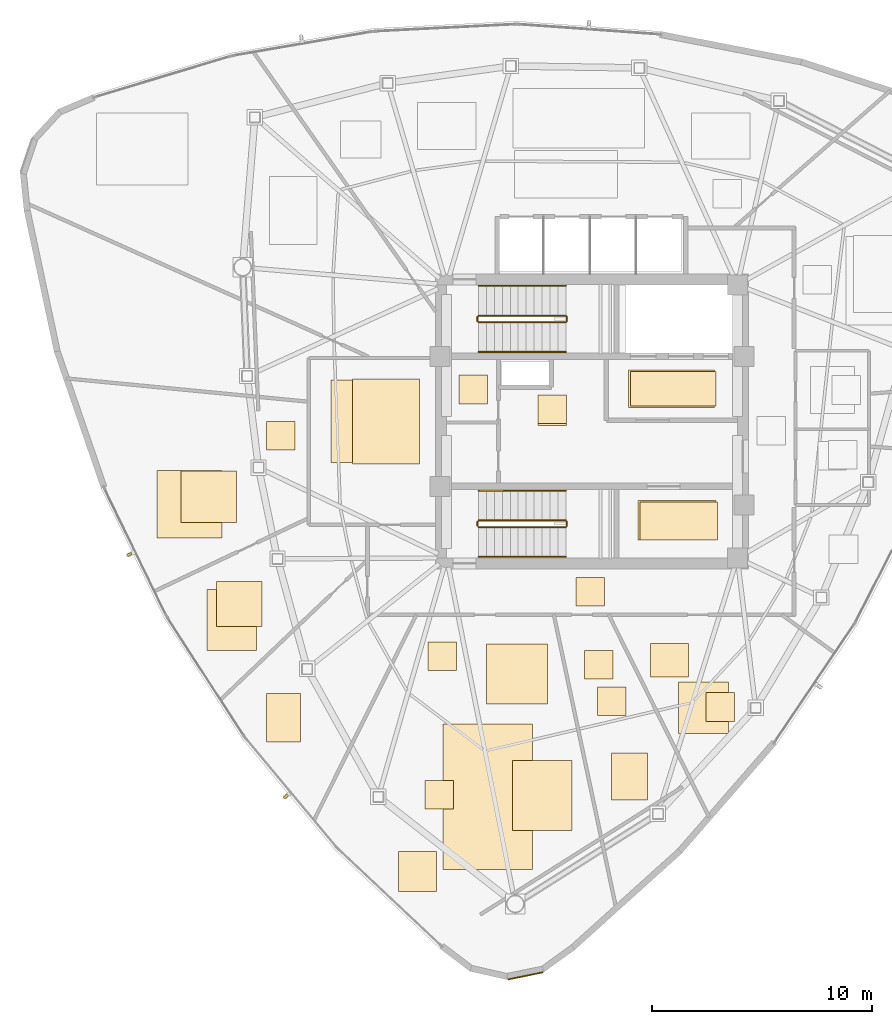
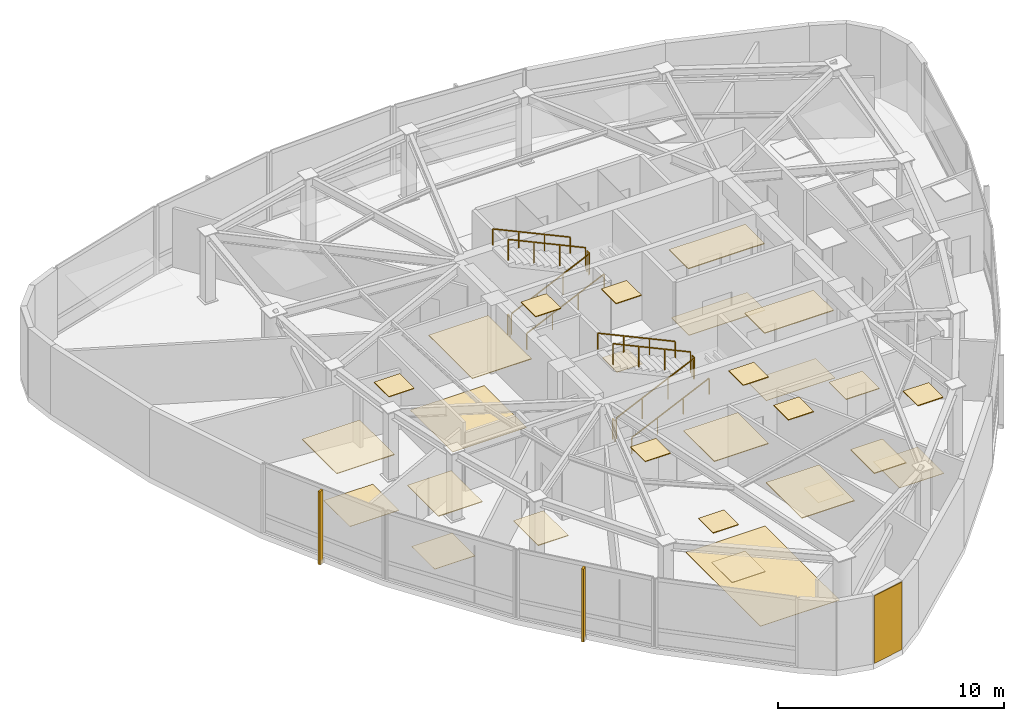
# One storey, part 11 of 12: 29 coverings, 12 railings, 2 shading devices.
"""IFC4 building model written with IfcOpenShell, lengths in metres."""

from ifc_helpers import new_model, si_unit, direction, frame, origin, origin_2d, place, context, subcontext, project, spatial, polyline, rectangle, outline, extrude, source, transform, mapped, material, layer, layer_set, type_object, type_shapes, element, save


model = new_model("IFC4")

# Units and contexts
model_context = context("Model", 3, precision=1e-05, world=origin(), true_north=direction((0.0, 1.0)))
body_context = subcontext(model_context, "Body", "Model", "MODEL_VIEW")
ifc_project = project(units=[si_unit("LENGTHUNIT", "METRE"), si_unit("AREAUNIT", "SQUARE_METRE"), si_unit("VOLUMEUNIT", "CUBIC_METRE"), si_unit("PLANEANGLEUNIT", "RADIAN"), si_unit("MASSUNIT", "GRAM", prefix="KILO")], contexts=[model_context])

# Site, building, storey
site_placement = place(None, origin())
site = spatial("IfcSite", under=ifc_project, at=site_placement, CompositionType="ELEMENT")
building_placement = place(site_placement, origin())
building = spatial("IfcBuilding", under=site, at=building_placement, Name="Tavelor Broadcast Tower", CompositionType="ELEMENT")
storey_placement = place(building_placement, frame((0.0, 0.0, 293.5)))
storey = spatial("IfcBuildingStorey", under=building, at=storey_placement, Name="L70", CompositionType="ELEMENT", Elevation=293.5)

# Coverings
ifc_material_1 = material(Name="Copper-Bronze Anodized Aluminium", Category="aluminium")
ifc_layer_1 = layer(ifc_material_1, 0.044921875)
ifc_layer_set_1 = layer_set([ifc_layer_1], Name="Copper-Bronze Anodized Aluminium")
covering_type_1 = type_object("IfcCoveringType", Name="Anodised Bronze Linear Slatted Concourse Ceiling 45 mm", PredefinedType="CEILING", material=ifc_layer_set_1)
covering_1_placement = place(storey_placement, frame((0.0, 0.0, 3.655029296875)))
element("IfcCovering", 1, at=covering_1_placement, inside=storey, type_object=covering_type_1, Name="L70 Suspended Acoustic Ceiling 2668", PredefinedType="CEILING", context=body_context, shape_type="SweptSolid", body=[
    extrude(outline(polyline([(51.659912109375, 45.6318359375), (55.55712890625, 45.6318359375), (55.55712890625, 47.328125), (51.659912109375, 47.328125), (51.659912109375, 45.6318359375)])), origin(), (0.0, 0.0, 1.0), 0.044921875),
])
covering_2_placement = place(storey_placement, frame((0.0, 0.0, 3.655029296875)))
element("IfcCovering", 2, at=covering_2_placement, inside=storey, type_object=covering_type_1, Name="L70 Suspended Acoustic Ceiling 2670", PredefinedType="CEILING", context=body_context, shape_type="SweptSolid", body=[
    extrude(outline(polyline([(47.5400390625, 44.89794921875), (48.840087890625, 44.89794921875), (48.840087890625, 46.197998046875), (47.5400390625, 46.197998046875), (47.5400390625, 44.89794921875)])), origin(), (0.0, 0.0, 1.0), 0.044921875),
])
ifc_layer_2 = layer(ifc_material_1, 0.050048828125)
ifc_layer_set_2 = layer_set([ifc_layer_2], Name="Copper-Bronze Anodized Aluminium")
covering_type_2 = type_object("IfcCoveringType", Name="Champagne-Bronze Corner Pier Metal Cladding 50 mm", PredefinedType="CLADDING", material=ifc_layer_set_2)
covering_3_placement = place(storey_placement, frame((46.977294921875, 19.820068359375, 0.02001953125), z_axis=(0.0, 0.0, 1.0), x_axis=(0.979750350171, 0.200223004021, 0.0)))
element("IfcCovering", 3, at=covering_3_placement, inside=storey, type_object=covering_type_2, Name="L70 Champagne-Bronze Corner Cladding 13", PredefinedType="CLADDING", context=body_context, shape_type="SweptSolid", body=[
    extrude(rectangle(XDim=1.620361328125, YDim=0.050048828125, at=origin_2d()), origin(), (0.0, 0.0, 1.0), 3.659912109375),
])

# Railings
ifc_material_2 = material(Name="Steel S355", Category="steel")
railing_type_1 = type_object("IfcRailingType", Name="Continuous Brushed Stainless Handrail 900 mm", PredefinedType="HANDRAIL", material=ifc_material_2)
railing_1_placement = place(storey_placement, frame((44.85009765625, 48.14990234375, 0.166748046875)))
element("IfcRailing", 4, at=railing_1_placement, inside=storey, type_object=railing_type_1, Name="L70 ST1 stair handrail 1", PredefinedType="HANDRAIL", context=body_context, shape_type="SweptSolid", body=[
    extrude(rectangle(XDim=0.048095703125, YDim=0.048095703125, at=origin_2d()), frame((0.0, 0.0, 0.8759765625), z_axis=(0.907472437036, 0.0, 0.420111623286), x_axis=(0.0, 1.0, 0.0)), (0.0, 0.0, 1.0), 4.36376953125),
    extrude(rectangle(XDim=0.0419921875, YDim=0.0419921875, at=origin_2d()), origin(), (0.0, 0.0, 1.0), 0.851806640625),
    extrude(rectangle(XDim=0.0419921875, YDim=0.0419921875, at=origin_2d()), frame((1.320068359375, 0.0, 0.611083984375)), (0.0, 0.0, 1.0), 0.851806640625),
    extrude(rectangle(XDim=0.0419921875, YDim=0.0419921875, at=origin_2d()), frame((2.639892578125, 0.0, 1.22216796875)), (0.0, 0.0, 1.0), 0.851806640625),
    extrude(rectangle(XDim=0.0419921875, YDim=0.0419921875, at=origin_2d()), frame((3.9599609375, 0.0, 1.833251953125)), (0.0, 0.0, 1.0), 0.851806640625),
])
railing_2_placement = place(storey_placement, frame((48.81005859375, 51.14990234375, 2.166748046875)))
element("IfcRailing", 5, at=railing_2_placement, inside=storey, type_object=railing_type_1, Name="L70 ST1 stair handrail 2", PredefinedType="HANDRAIL", context=body_context, shape_type="SweptSolid", body=[
    extrude(rectangle(XDim=0.048095703125, YDim=0.048095703125, at=origin_2d()), frame((0.0, 0.0, 0.8759765625), z_axis=(-0.907472437036, 0.0, 0.420111623286), x_axis=(0.0, -1.0, 0.0)), (0.0, 0.0, 1.0), 4.36376953125),
    extrude(rectangle(XDim=0.0419921875, YDim=0.0419921875, at=origin_2d()), origin(), (0.0, 0.0, 1.0), 0.851806640625),
    extrude(rectangle(XDim=0.0419921875, YDim=0.0419921875, at=origin_2d()), frame((-1.320068359375, 0.0, 0.611083984375)), (0.0, 0.0, 1.0), 0.851806640625),
    extrude(rectangle(XDim=0.0419921875, YDim=0.0419921875, at=origin_2d()), frame((-2.639892578125, 0.0, 1.22216796875)), (0.0, 0.0, 1.0), 0.851806640625),
    extrude(rectangle(XDim=0.0419921875, YDim=0.0419921875, at=origin_2d()), frame((-3.9599609375, 0.0, 1.833251953125)), (0.0, 0.0, 1.0), 0.851806640625),
])
railing_3_placement = place(storey_placement, frame((44.85009765625, 38.85009765625, 0.166748046875)))
element("IfcRailing", 6, at=railing_3_placement, inside=storey, type_object=railing_type_1, Name="L70 ST2 stair handrail 1", PredefinedType="HANDRAIL", context=body_context, shape_type="SweptSolid", body=[
    extrude(rectangle(XDim=0.048095703125, YDim=0.048095703125, at=origin_2d()), frame((0.0, 0.0, 0.8759765625), z_axis=(0.907472437036, 0.0, 0.420111623286), x_axis=(0.0, 1.0, 0.0)), (0.0, 0.0, 1.0), 4.36376953125),
    extrude(rectangle(XDim=0.0419921875, YDim=0.0419921875, at=origin_2d()), origin(), (0.0, 0.0, 1.0), 0.851806640625),
    extrude(rectangle(XDim=0.0419921875, YDim=0.0419921875, at=origin_2d()), frame((1.320068359375, 0.0, 0.611083984375)), (0.0, 0.0, 1.0), 0.851806640625),
    extrude(rectangle(XDim=0.0419921875, YDim=0.0419921875, at=origin_2d()), frame((2.639892578125, 0.0, 1.22216796875)), (0.0, 0.0, 1.0), 0.851806640625),
    extrude(rectangle(XDim=0.0419921875, YDim=0.0419921875, at=origin_2d()), frame((3.9599609375, 0.0, 1.833251953125)), (0.0, 0.0, 1.0), 0.851806640625),
])
railing_4_placement = place(storey_placement, frame((48.81005859375, 41.85009765625, 2.166748046875)))
element("IfcRailing", 7, at=railing_4_placement, inside=storey, type_object=railing_type_1, Name="L70 ST2 stair handrail 2", PredefinedType="HANDRAIL", context=body_context, shape_type="SweptSolid", body=[
    extrude(rectangle(XDim=0.048095703125, YDim=0.048095703125, at=origin_2d()), frame((0.0, 0.0, 0.8759765625), z_axis=(-0.907472437036, 0.0, 0.420111623286), x_axis=(0.0, -1.0, 0.0)), (0.0, 0.0, 1.0), 4.36376953125),
    extrude(rectangle(XDim=0.0419921875, YDim=0.0419921875, at=origin_2d()), origin(), (0.0, 0.0, 1.0), 0.851806640625),
    extrude(rectangle(XDim=0.0419921875, YDim=0.0419921875, at=origin_2d()), frame((-1.320068359375, 0.0, 0.611083984375)), (0.0, 0.0, 1.0), 0.851806640625),
    extrude(rectangle(XDim=0.0419921875, YDim=0.0419921875, at=origin_2d()), frame((-2.639892578125, 0.0, 1.22216796875)), (0.0, 0.0, 1.0), 0.851806640625),
    extrude(rectangle(XDim=0.0419921875, YDim=0.0419921875, at=origin_2d()), frame((-3.9599609375, 0.0, 1.833251953125)), (0.0, 0.0, 1.0), 0.851806640625),
])

# Coverings
ifc_material_3 = material(Name="Architectural Anodized Aluminium", Category="aluminium")
ifc_layer_3 = layer(ifc_material_3, 0.034912109375)
ifc_layer_set_3 = layer_set([ifc_layer_3], Name="Architectural Anodized Aluminium")
covering_type_3 = type_object("IfcCoveringType", Name="Demountable Metal Tile Corridor Ceiling 35 mm", PredefinedType="CEILING", material=ifc_layer_set_3)
covering_4_placement = place(storey_placement, frame((0.0, 0.0, 3.6650390625)))
element("IfcCovering", 8, at=covering_4_placement, inside=storey, type_object=covering_type_3, Name="L70 Suspended Acoustic Ceiling 2673", PredefinedType="CEILING", context=body_context, shape_type="SweptSolid", body=[
    extrude(outline(polyline([(49.261474609375, 36.610107421875), (50.5615234375, 36.610107421875), (50.5615234375, 37.909912109375), (49.261474609375, 37.909912109375), (49.261474609375, 36.610107421875)])), origin(), (0.0, 0.0, 1.0), 0.034912109375),
])
ifc_material_4 = material(Name="Acoustic Nylon Carpet Tile")
ifc_layer_4 = layer(ifc_material_4, 0.02001953125)
ifc_layer_set_4 = layer_set([ifc_layer_4], Name="Acoustic Nylon Carpet Tile")
covering_type_4 = type_object("IfcCoveringType", Name="Heavy-Duty Acoustic Broadcast Carpet Tile 20 mm", PredefinedType="FLOORING", material=ifc_layer_set_4)
covering_5_placement = place(storey_placement, origin())
element("IfcCovering", 9, at=covering_5_placement, inside=storey, type_object=covering_type_4, Name="L70 Broadcast Floor Finish 1040", PredefinedType="FLOORING", context=body_context, shape_type="SweptSolid", body=[
    extrude(outline(polyline([(52.176025390625, 39.611328125), (55.694091796875, 39.611328125), (55.694091796875, 41.341552734375), (52.176025390625, 41.341552734375), (52.176025390625, 39.611328125)])), origin(), (0.0, 0.0, 1.0), 0.02001953125),
])
covering_6_placement = place(storey_placement, origin())
element("IfcCovering", 10, at=covering_6_placement, inside=storey, type_object=covering_type_4, Name="L70 Broadcast Floor Finish 1043", PredefinedType="FLOORING", context=body_context, shape_type="SweptSolid", body=[
    extrude(outline(polyline([(38.15771484375, 43.12890625), (41.942138671875, 43.12890625), (41.942138671875, 46.87060546875), (38.15771484375, 46.87060546875), (38.15771484375, 43.12890625)])), origin(), (0.0, 0.0, 1.0), 0.02001953125),
])
covering_7_placement = place(storey_placement, origin())
element("IfcCovering", 11, at=covering_7_placement, inside=storey, type_object=covering_type_4, Name="L70 Broadcast Floor Finish 1047", PredefinedType="FLOORING", context=body_context, shape_type="SweptSolid", body=[
    extrude(outline(polyline([(53.919677734375, 30.82177734375), (56.1884765625, 30.82177734375), (56.1884765625, 33.162353515625), (53.919677734375, 33.162353515625), (53.919677734375, 30.82177734375)])), origin(), (0.0, 0.0, 1.0), 0.02001953125),
])
covering_8_placement = place(storey_placement, origin())
element("IfcCovering", 12, at=covering_8_placement, inside=storey, type_object=covering_type_4, Name="L70 Broadcast Floor Finish 1048", PredefinedType="FLOORING", context=body_context, shape_type="SweptSolid", body=[
    extrude(outline(polyline([(50.239013671875, 31.638916015625), (51.538818359375, 31.638916015625), (51.538818359375, 32.93896484375), (50.239013671875, 32.93896484375), (50.239013671875, 31.638916015625)])), origin(), (0.0, 0.0, 1.0), 0.02001953125),
])
covering_9_placement = place(storey_placement, origin())
element("IfcCovering", 13, at=covering_9_placement, inside=storey, type_object=covering_type_4, Name="L70 Broadcast Floor Finish 1049", PredefinedType="FLOORING", context=body_context, shape_type="SweptSolid", body=[
    extrude(outline(polyline([(43.2373046875, 24.65234375), (47.28857421875, 24.65234375), (47.28857421875, 31.2548828125), (43.2373046875, 31.2548828125), (43.2373046875, 24.65234375)])), origin(), (0.0, 0.0, 1.0), 0.02001953125),
])
covering_10_placement = place(storey_placement, origin())
element("IfcCovering", 14, at=covering_10_placement, inside=storey, type_object=covering_type_4, Name="L70 Broadcast Floor Finish 1050", PredefinedType="FLOORING", context=body_context, shape_type="SweptSolid", body=[
    extrude(outline(polyline([(32.94384765625, 35.68408203125), (35.017822265625, 35.68408203125), (35.017822265625, 37.724365234375), (32.94384765625, 37.724365234375), (32.94384765625, 35.68408203125)])), origin(), (0.0, 0.0, 1.0), 0.02001953125),
])
covering_11_placement = place(storey_placement, origin())
element("IfcCovering", 15, at=covering_11_placement, inside=storey, type_object=covering_type_4, Name="L70 Broadcast Floor Finish 1051", PredefinedType="FLOORING", context=body_context, shape_type="SweptSolid", body=[
    extrude(outline(polyline([(31.3408203125, 40.414306640625), (33.850341796875, 40.414306640625), (33.850341796875, 42.74560546875), (31.3408203125, 42.74560546875), (31.3408203125, 40.414306640625)])), origin(), (0.0, 0.0, 1.0), 0.02001953125),
])
ifc_material_5 = material(Name="Honed Natural Limestone Tile", Category="masonry")
ifc_layer_5 = layer(ifc_material_5, 0.030029296875)
ifc_layer_set_5 = layer_set([ifc_layer_5], Name="Honed Natural Limestone Tile")
covering_type_5 = type_object("IfcCoveringType", Name="Honed Jerusalem Limestone Concourse Flooring 30 mm", PredefinedType="FLOORING", material=ifc_layer_set_5)
covering_12_placement = place(storey_placement, origin())
element("IfcCovering", 16, at=covering_12_placement, inside=storey, type_object=covering_type_5, Name="L70 Broadcast Floor Finish 1039", PredefinedType="FLOORING", context=body_context, shape_type="SweptSolid", body=[
    extrude(outline(polyline([(51.7373046875, 45.689453125), (55.62255859375, 45.689453125), (55.62255859375, 47.2705078125), (51.7373046875, 47.2705078125), (51.7373046875, 45.689453125)])), origin(), (0.0, 0.0, 1.0), 0.030029296875),
])
covering_13_placement = place(storey_placement, origin())
element("IfcCovering", 17, at=covering_13_placement, inside=storey, type_object=covering_type_5, Name="L70 Broadcast Floor Finish 1041", PredefinedType="FLOORING", context=body_context, shape_type="SweptSolid", body=[
    extrude(outline(polyline([(47.5400390625, 44.818115234375), (48.840087890625, 44.818115234375), (48.840087890625, 46.117919921875), (47.5400390625, 46.117919921875), (47.5400390625, 44.818115234375)])), origin(), (0.0, 0.0, 1.0), 0.030029296875),
])

# Railings
railing_type_2 = type_object("IfcRailingType", Name="Stairwell Steel Safety Guardrail 1150 mm", PredefinedType="GUARDRAIL", material=ifc_material_2)
railing_5_placement = place(storey_placement, frame((44.85009765625, 49.5, 0.166748046875)))
element("IfcRailing", 18, at=railing_5_placement, inside=storey, type_object=railing_type_2, Name="L70 ST1 stair guard 1", PredefinedType="GUARDRAIL", context=body_context, shape_type="SweptSolid", body=[
    extrude(rectangle(XDim=0.048095703125, YDim=0.048095703125, at=origin_2d()), frame((0.0, 0.0, 1.1259765625), z_axis=(0.907472437036, 0.0, 0.420111623286), x_axis=(0.0, 1.0, 0.0)), (0.0, 0.0, 1.0), 4.36376953125),
    extrude(rectangle(XDim=0.0419921875, YDim=0.0419921875, at=origin_2d()), origin(), (0.0, 0.0, 1.0), 1.101806640625),
    extrude(rectangle(XDim=0.0419921875, YDim=0.0419921875, at=origin_2d()), frame((1.320068359375, 0.0, 0.611083984375)), (0.0, 0.0, 1.0), 1.101806640625),
    extrude(rectangle(XDim=0.0419921875, YDim=0.0419921875, at=origin_2d()), frame((2.639892578125, 0.0, 1.22216796875)), (0.0, 0.0, 1.0), 1.101806640625),
    extrude(rectangle(XDim=0.0419921875, YDim=0.0419921875, at=origin_2d()), frame((3.9599609375, 0.0, 1.833251953125)), (0.0, 0.0, 1.0), 1.101806640625),
])
railing_6_placement = place(storey_placement, frame((48.860107421875, 49.550048828125, 2.0)))
element("IfcRailing", 19, at=railing_6_placement, inside=storey, type_object=railing_type_2, Name="L70 ST1 stair guard 2", PredefinedType="GUARDRAIL", context=body_context, shape_type="SweptSolid", body=[
    extrude(rectangle(XDim=0.048095703125, YDim=0.048095703125, at=origin_2d()), frame((0.0, 0.0, 1.1259765625), z_axis=(0.0, 1.0, 0.0), x_axis=(-1.0, 0.0, 0.0)), (0.0, 0.0, 1.0), 0.199951171875),
    extrude(rectangle(XDim=0.0419921875, YDim=0.0419921875, at=origin_2d()), origin(), (0.0, 0.0, 1.0), 1.101806640625),
    extrude(rectangle(XDim=0.0419921875, YDim=0.0419921875, at=origin_2d()), frame((0.0, 0.199951171875, 0.0)), (0.0, 0.0, 1.0), 1.101806640625),
])
railing_7_placement = place(storey_placement, frame((48.81005859375, 49.800048828125, 2.166748046875)))
element("IfcRailing", 20, at=railing_7_placement, inside=storey, type_object=railing_type_2, Name="L70 ST1 stair guard 3", PredefinedType="GUARDRAIL", context=body_context, shape_type="SweptSolid", body=[
    extrude(rectangle(XDim=0.048095703125, YDim=0.048095703125, at=origin_2d()), frame((0.0, 0.0, 1.1259765625), z_axis=(-0.907472437036, 0.0, 0.420111623286), x_axis=(0.0, -1.0, 0.0)), (0.0, 0.0, 1.0), 4.36376953125),
    extrude(rectangle(XDim=0.0419921875, YDim=0.0419921875, at=origin_2d()), origin(), (0.0, 0.0, 1.0), 1.101806640625),
    extrude(rectangle(XDim=0.0419921875, YDim=0.0419921875, at=origin_2d()), frame((-1.320068359375, 0.0, 0.611083984375)), (0.0, 0.0, 1.0), 1.101806640625),
    extrude(rectangle(XDim=0.0419921875, YDim=0.0419921875, at=origin_2d()), frame((-2.639892578125, 0.0, 1.22216796875)), (0.0, 0.0, 1.0), 1.101806640625),
    extrude(rectangle(XDim=0.0419921875, YDim=0.0419921875, at=origin_2d()), frame((-3.9599609375, 0.0, 1.833251953125)), (0.0, 0.0, 1.0), 1.101806640625),
])
railing_8_placement = place(storey_placement, frame((44.800048828125, 49.550048828125, 0.0)))
element("IfcRailing", 21, at=railing_8_placement, inside=storey, type_object=railing_type_2, Name="L70 ST1 stair guard 4", PredefinedType="GUARDRAIL", context=body_context, shape_type="SweptSolid", body=[
    extrude(rectangle(XDim=0.048095703125, YDim=0.048095703125, at=origin_2d()), frame((0.0, 0.0, 1.1259765625), z_axis=(0.0, 1.0, 0.0), x_axis=(-1.0, 0.0, 0.0)), (0.0, 0.0, 1.0), 0.199951171875),
    extrude(rectangle(XDim=0.0419921875, YDim=0.0419921875, at=origin_2d()), origin(), (0.0, 0.0, 1.0), 1.101806640625),
    extrude(rectangle(XDim=0.0419921875, YDim=0.0419921875, at=origin_2d()), frame((0.0, 0.199951171875, 0.0)), (0.0, 0.0, 1.0), 1.101806640625),
])
railing_9_placement = place(storey_placement, frame((44.85009765625, 40.199951171875, 0.166748046875)))
element("IfcRailing", 22, at=railing_9_placement, inside=storey, type_object=railing_type_2, Name="L70 ST2 stair guard 1", PredefinedType="GUARDRAIL", context=body_context, shape_type="SweptSolid", body=[
    extrude(rectangle(XDim=0.048095703125, YDim=0.048095703125, at=origin_2d()), frame((0.0, 0.0, 1.1259765625), z_axis=(0.907472437036, 0.0, 0.420111623286), x_axis=(0.0, 1.0, 0.0)), (0.0, 0.0, 1.0), 4.36376953125),
    extrude(rectangle(XDim=0.0419921875, YDim=0.0419921875, at=origin_2d()), origin(), (0.0, 0.0, 1.0), 1.101806640625),
    extrude(rectangle(XDim=0.0419921875, YDim=0.0419921875, at=origin_2d()), frame((1.320068359375, 0.0, 0.611083984375)), (0.0, 0.0, 1.0), 1.101806640625),
    extrude(rectangle(XDim=0.0419921875, YDim=0.0419921875, at=origin_2d()), frame((2.639892578125, 0.0, 1.22216796875)), (0.0, 0.0, 1.0), 1.101806640625),
    extrude(rectangle(XDim=0.0419921875, YDim=0.0419921875, at=origin_2d()), frame((3.9599609375, 0.0, 1.833251953125)), (0.0, 0.0, 1.0), 1.101806640625),
])
railing_10_placement = place(storey_placement, frame((48.860107421875, 40.25, 2.0)))
element("IfcRailing", 23, at=railing_10_placement, inside=storey, type_object=railing_type_2, Name="L70 ST2 stair guard 2", PredefinedType="GUARDRAIL", context=body_context, shape_type="SweptSolid", body=[
    extrude(rectangle(XDim=0.048095703125, YDim=0.048095703125, at=origin_2d()), frame((0.0, 0.0, 1.1259765625), z_axis=(0.0, 1.0, 0.0), x_axis=(-1.0, 0.0, 0.0)), (0.0, 0.0, 1.0), 0.199951171875),
    extrude(rectangle(XDim=0.0419921875, YDim=0.0419921875, at=origin_2d()), origin(), (0.0, 0.0, 1.0), 1.101806640625),
    extrude(rectangle(XDim=0.0419921875, YDim=0.0419921875, at=origin_2d()), frame((0.0, 0.199951171875, 0.0)), (0.0, 0.0, 1.0), 1.101806640625),
])
railing_11_placement = place(storey_placement, frame((48.81005859375, 40.5, 2.166748046875)))
element("IfcRailing", 24, at=railing_11_placement, inside=storey, type_object=railing_type_2, Name="L70 ST2 stair guard 3", PredefinedType="GUARDRAIL", context=body_context, shape_type="SweptSolid", body=[
    extrude(rectangle(XDim=0.048095703125, YDim=0.048095703125, at=origin_2d()), frame((0.0, 0.0, 1.1259765625), z_axis=(-0.907472437036, 0.0, 0.420111623286), x_axis=(0.0, -1.0, 0.0)), (0.0, 0.0, 1.0), 4.36376953125),
    extrude(rectangle(XDim=0.0419921875, YDim=0.0419921875, at=origin_2d()), origin(), (0.0, 0.0, 1.0), 1.101806640625),
    extrude(rectangle(XDim=0.0419921875, YDim=0.0419921875, at=origin_2d()), frame((-1.320068359375, 0.0, 0.611083984375)), (0.0, 0.0, 1.0), 1.101806640625),
    extrude(rectangle(XDim=0.0419921875, YDim=0.0419921875, at=origin_2d()), frame((-2.639892578125, 0.0, 1.22216796875)), (0.0, 0.0, 1.0), 1.101806640625),
    extrude(rectangle(XDim=0.0419921875, YDim=0.0419921875, at=origin_2d()), frame((-3.9599609375, 0.0, 1.833251953125)), (0.0, 0.0, 1.0), 1.101806640625),
])
railing_12_placement = place(storey_placement, frame((44.800048828125, 40.25, 0.0)))
element("IfcRailing", 25, at=railing_12_placement, inside=storey, type_object=railing_type_2, Name="L70 ST2 stair guard 4", PredefinedType="GUARDRAIL", context=body_context, shape_type="SweptSolid", body=[
    extrude(rectangle(XDim=0.048095703125, YDim=0.048095703125, at=origin_2d()), frame((0.0, 0.0, 1.1259765625), z_axis=(0.0, 1.0, 0.0), x_axis=(-1.0, 0.0, 0.0)), (0.0, 0.0, 1.0), 0.199951171875),
    extrude(rectangle(XDim=0.0419921875, YDim=0.0419921875, at=origin_2d()), origin(), (0.0, 0.0, 1.0), 1.101806640625),
    extrude(rectangle(XDim=0.0419921875, YDim=0.0419921875, at=origin_2d()), frame((0.0, 0.199951171875, 0.0)), (0.0, 0.0, 1.0), 1.101806640625),
])

# Coverings
ifc_material_6 = material(Name="Acoustic Mineral Fibre Tile")
ifc_layer_6 = layer(ifc_material_6, 0.0400390625)
ifc_layer_set_6 = layer_set([ifc_layer_6], Name="Acoustic Mineral Fibre Tile")
covering_type_6 = type_object("IfcCoveringType", Name="Suspended Acoustic Mineral-Fibre Office Ceiling 40 mm", PredefinedType="CEILING", material=ifc_layer_set_6)
covering_14_placement = place(storey_placement, frame((0.0, 0.0, 3.659912109375)))
element("IfcCovering", 26, at=covering_14_placement, inside=storey, type_object=covering_type_6, Name="L70 Suspended Acoustic Ceiling 2669", PredefinedType="CEILING", context=body_context, shape_type="SweptSolid", body=[
    extrude(outline(polyline([(52.098388671875, 39.62255859375), (55.628662109375, 39.62255859375), (55.628662109375, 41.410400390625), (52.098388671875, 41.410400390625), (52.098388671875, 39.62255859375)])), origin(), (0.0, 0.0, 1.0), 0.0400390625),
])
covering_15_placement = place(storey_placement, frame((0.0, 0.0, 3.659912109375)))
element("IfcCovering", 27, at=covering_15_placement, inside=storey, type_object=covering_type_6, Name="L70 Suspended Acoustic Ceiling 2671", PredefinedType="CEILING", context=body_context, shape_type="SweptSolid", body=[
    extrude(outline(polyline([(43.951416015625, 45.794921875), (45.25146484375, 45.794921875), (45.25146484375, 47.094970703125), (43.951416015625, 47.094970703125), (43.951416015625, 45.794921875)])), origin(), (0.0, 0.0, 1.0), 0.0400390625),
])
covering_16_placement = place(storey_placement, frame((0.0, 0.0, 3.659912109375)))
element("IfcCovering", 28, at=covering_16_placement, inside=storey, type_object=covering_type_6, Name="L70 Suspended Acoustic Ceiling 2674", PredefinedType="CEILING", context=body_context, shape_type="SweptSolid", body=[
    extrude(outline(polyline([(39.130615234375, 43.0712890625), (42.16748046875, 43.0712890625), (42.16748046875, 46.927978515625), (39.130615234375, 46.927978515625), (39.130615234375, 43.0712890625)])), origin(), (0.0, 0.0, 1.0), 0.0400390625),
])
covering_17_placement = place(storey_placement, frame((0.0, 0.0, 3.659912109375)))
element("IfcCovering", 29, at=covering_17_placement, inside=storey, type_object=covering_type_6, Name="L70 Suspended Acoustic Ceiling 2677", PredefinedType="CEILING", context=body_context, shape_type="SweptSolid", body=[
    extrude(outline(polyline([(55.1728515625, 31.37841796875), (56.472900390625, 31.37841796875), (56.472900390625, 32.678466796875), (55.1728515625, 32.678466796875), (55.1728515625, 31.37841796875)])), origin(), (0.0, 0.0, 1.0), 0.0400390625),
])
covering_18_placement = place(storey_placement, frame((0.0, 0.0, 3.659912109375)))
element("IfcCovering", 30, at=covering_18_placement, inside=storey, type_object=covering_type_6, Name="L70 Suspended Acoustic Ceiling 2678", PredefinedType="CEILING", context=body_context, shape_type="SweptSolid", body=[
    extrude(outline(polyline([(52.663818359375, 33.38427734375), (54.3740234375, 33.38427734375), (54.3740234375, 34.91552734375), (52.663818359375, 34.91552734375), (52.663818359375, 33.38427734375)])), origin(), (0.0, 0.0, 1.0), 0.0400390625),
])
covering_19_placement = place(storey_placement, frame((0.0, 0.0, 3.659912109375)))
element("IfcCovering", 31, at=covering_19_placement, inside=storey, type_object=covering_type_6, Name="L70 Suspended Acoustic Ceiling 2679", PredefinedType="CEILING", context=body_context, shape_type="SweptSolid", body=[
    extrude(outline(polyline([(50.8935546875, 27.816650390625), (52.526611328125, 27.816650390625), (52.526611328125, 29.931884765625), (50.8935546875, 29.931884765625), (50.8935546875, 27.816650390625)])), origin(), (0.0, 0.0, 1.0), 0.0400390625),
])
covering_20_placement = place(storey_placement, frame((0.0, 0.0, 3.659912109375)))
element("IfcCovering", 32, at=covering_20_placement, inside=storey, type_object=covering_type_6, Name="L70 Suspended Acoustic Ceiling 2680", PredefinedType="CEILING", context=body_context, shape_type="SweptSolid", body=[
    extrude(outline(polyline([(49.657470703125, 33.29052734375), (50.95751953125, 33.29052734375), (50.95751953125, 34.590576171875), (49.657470703125, 34.590576171875), (49.657470703125, 33.29052734375)])), origin(), (0.0, 0.0, 1.0), 0.0400390625),
])
covering_21_placement = place(storey_placement, frame((0.0, 0.0, 3.659912109375)))
element("IfcCovering", 33, at=covering_21_placement, inside=storey, type_object=covering_type_6, Name="L70 Suspended Acoustic Ceiling 2681", PredefinedType="CEILING", context=body_context, shape_type="SweptSolid", body=[
    extrude(outline(polyline([(41.211181640625, 23.655517578125), (42.92919921875, 23.655517578125), (42.92919921875, 25.477294921875), (41.211181640625, 25.477294921875), (41.211181640625, 23.655517578125)])), origin(), (0.0, 0.0, 1.0), 0.0400390625),
])
covering_22_placement = place(storey_placement, frame((0.0, 0.0, 3.659912109375)))
element("IfcCovering", 34, at=covering_22_placement, inside=storey, type_object=covering_type_6, Name="L70 Suspended Acoustic Ceiling 2682", PredefinedType="CEILING", context=body_context, shape_type="SweptSolid", body=[
    extrude(outline(polyline([(42.555419921875, 33.6826171875), (43.855224609375, 33.6826171875), (43.855224609375, 34.982666015625), (42.555419921875, 34.982666015625), (42.555419921875, 33.6826171875)])), origin(), (0.0, 0.0, 1.0), 0.0400390625),
])
covering_23_placement = place(storey_placement, frame((0.0, 0.0, 3.659912109375)))
element("IfcCovering", 35, at=covering_23_placement, inside=storey, type_object=covering_type_6, Name="L70 Suspended Acoustic Ceiling 2683", PredefinedType="CEILING", context=body_context, shape_type="SweptSolid", body=[
    extrude(outline(polyline([(45.2138671875, 32.159423828125), (47.989013671875, 32.159423828125), (47.989013671875, 34.8974609375), (45.2138671875, 34.8974609375), (45.2138671875, 32.159423828125)])), origin(), (0.0, 0.0, 1.0), 0.0400390625),
])
covering_24_placement = place(storey_placement, frame((0.0, 0.0, 3.659912109375)))
element("IfcCovering", 36, at=covering_24_placement, inside=storey, type_object=covering_type_6, Name="L70 Suspended Acoustic Ceiling 2684", PredefinedType="CEILING", context=body_context, shape_type="SweptSolid", body=[
    extrude(outline(polyline([(46.380615234375, 26.43115234375), (49.08544921875, 26.43115234375), (49.08544921875, 29.60302734375), (46.380615234375, 29.60302734375), (46.380615234375, 26.43115234375)])), origin(), (0.0, 0.0, 1.0), 0.0400390625),
])
covering_25_placement = place(storey_placement, frame((0.0, 0.0, 3.659912109375)))
element("IfcCovering", 37, at=covering_25_placement, inside=storey, type_object=covering_type_6, Name="L70 Suspended Acoustic Ceiling 2685", PredefinedType="CEILING", context=body_context, shape_type="SweptSolid", body=[
    extrude(outline(polyline([(42.408203125, 27.39892578125), (43.708251953125, 27.39892578125), (43.708251953125, 28.698974609375), (42.408203125, 28.698974609375), (42.408203125, 27.39892578125)])), origin(), (0.0, 0.0, 1.0), 0.0400390625),
])
covering_26_placement = place(storey_placement, frame((0.0, 0.0, 3.659912109375)))
element("IfcCovering", 38, at=covering_26_placement, inside=storey, type_object=covering_type_6, Name="L70 Suspended Acoustic Ceiling 2686", PredefinedType="CEILING", context=body_context, shape_type="SweptSolid", body=[
    extrude(outline(polyline([(35.2119140625, 30.44091796875), (36.75390625, 30.44091796875), (36.75390625, 32.638427734375), (35.2119140625, 32.638427734375), (35.2119140625, 30.44091796875)])), origin(), (0.0, 0.0, 1.0), 0.0400390625),
])
covering_27_placement = place(storey_placement, frame((0.0, 0.0, 3.659912109375)))
element("IfcCovering", 39, at=covering_27_placement, inside=storey, type_object=covering_type_6, Name="L70 Suspended Acoustic Ceiling 2687", PredefinedType="CEILING", context=body_context, shape_type="SweptSolid", body=[
    extrude(outline(polyline([(32.5146484375, 34.606201171875), (34.765380859375, 34.606201171875), (34.765380859375, 37.361572265625), (32.5146484375, 37.361572265625), (32.5146484375, 34.606201171875)])), origin(), (0.0, 0.0, 1.0), 0.0400390625),
])
covering_28_placement = place(storey_placement, frame((0.0, 0.0, 3.659912109375)))
element("IfcCovering", 40, at=covering_28_placement, inside=storey, type_object=covering_type_6, Name="L70 Suspended Acoustic Ceiling 2688", PredefinedType="CEILING", context=body_context, shape_type="SweptSolid", body=[
    extrude(outline(polyline([(30.254150390625, 39.707275390625), (33.20849609375, 39.707275390625), (33.20849609375, 42.7763671875), (30.254150390625, 42.7763671875), (30.254150390625, 39.707275390625)])), origin(), (0.0, 0.0, 1.0), 0.0400390625),
])
covering_29_placement = place(storey_placement, frame((0.0, 0.0, 3.659912109375)))
element("IfcCovering", 41, at=covering_29_placement, inside=storey, type_object=covering_type_6, Name="L70 Suspended Acoustic Ceiling 2689", PredefinedType="CEILING", context=body_context, shape_type="SweptSolid", body=[
    extrude(outline(polyline([(35.222900390625, 43.694580078125), (36.52294921875, 43.694580078125), (36.52294921875, 44.99462890625), (35.222900390625, 44.99462890625), (35.222900390625, 43.694580078125)])), origin(), (0.0, 0.0, 1.0), 0.0400390625),
])

# Shading devices
ifc_material_7 = material(Name="Kiln-Fired Glazed Terracotta", Category="masonry")
shading_device_type = type_object("IfcShadingDeviceType", Name="Extruded Terracotta Baguette Sun-Screen 110x240", PredefinedType="JALOUSIE", material=ifc_material_7)
shared_shape = source(origin(), body_context, "Body", "SweptSolid", [
    extrude(rectangle(XDim=0.110107421875, YDim=0.239990234375, at=origin_2d()), origin(), (0.0, 0.0, 1.0), 3.93994140625),
])
type_shapes(shading_device_type, [shared_shape])
for number, where, z_axis, x_axis, name in (
    (42, (28.988525390625, 38.951416015625, -0.260009765625), (0.0, 0.0, 1.0), (0.437115766651, -0.899405251566, 0.0), "L70 Terracotta Baguette Fin 691"),
    (43, (36.09228515625, 27.96044921875, -0.260009765625), (0.0, 0.0, 1.0), (0.640511884034, -0.767948257639, 0.0), "L70 Terracotta Baguette Fin 692"),
):
    element("IfcShadingDevice", number, at=place(storey_placement, frame(where, z_axis=z_axis, x_axis=x_axis)), inside=storey, type_object=shading_device_type, Name=name, PredefinedType="JALOUSIE", context=body_context, shape_type="MappedRepresentation", body=[
        mapped(shared_shape, transform((0.0, 0.0, 0.0), scale=1.0)),
    ])

save(model, "model.ifc")
